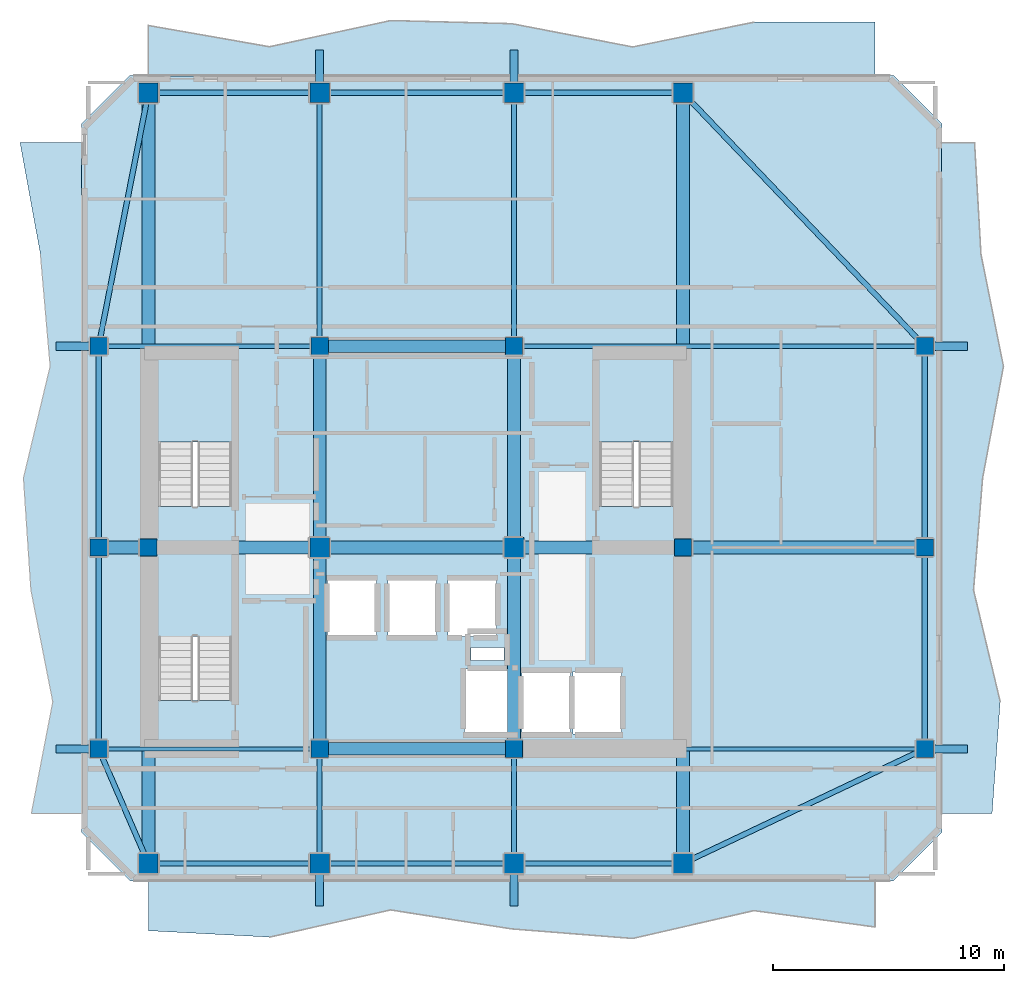
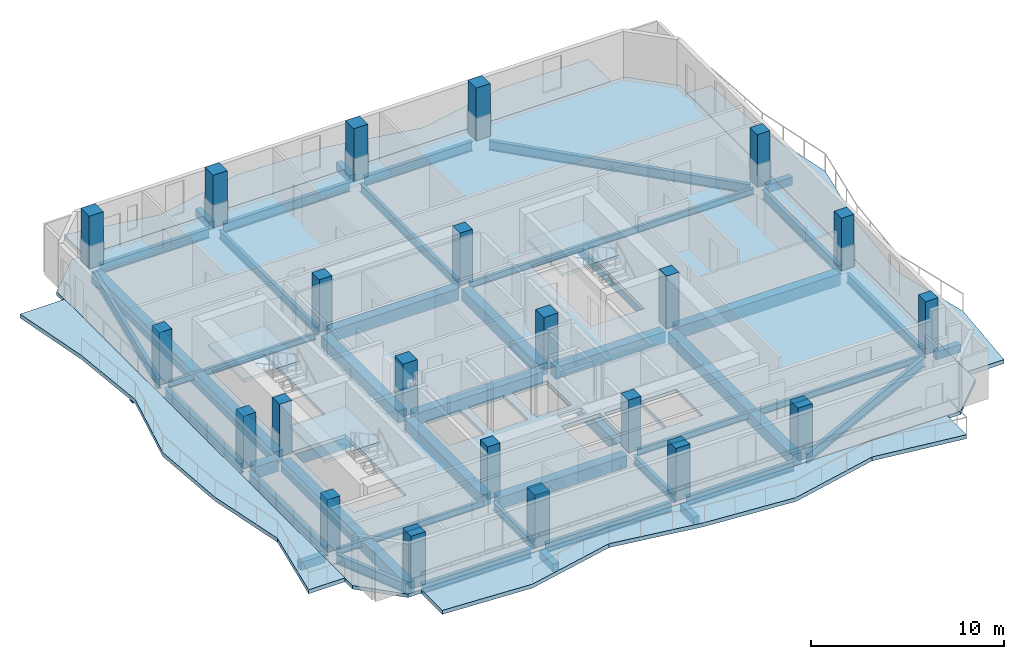
# One storey, part 1 of 9: 45 beams, 22 columns, 8 slabs, 3 elements without a shape of their own.
"""IFC4 building model written with IfcOpenShell, lengths in metres."""

from ifc_helpers import new_model, si_unit, direction, frame, origin, origin_2d, place, context, subcontext, project, spatial, polyline, rectangle, i_section, outline, extrude, material, layer, layer_set, material_profile, profile_set, type_object, element, aggregate, save


model = new_model("IFC4")

# Units and contexts
model_context = context("Model", 3, precision=1e-05, world=origin(), true_north=direction((0.0, 1.0)))
body_context = subcontext(model_context, "Body", "Model", "MODEL_VIEW")
ifc_project = project(units=[si_unit("LENGTHUNIT", "METRE"), si_unit("AREAUNIT", "SQUARE_METRE"), si_unit("VOLUMEUNIT", "CUBIC_METRE"), si_unit("PLANEANGLEUNIT", "RADIAN"), si_unit("MASSUNIT", "GRAM", prefix="KILO")], contexts=[model_context])

# Site, building, storey
site_placement = place(None, origin())
site = spatial("IfcSite", under=ifc_project, at=site_placement, CompositionType="ELEMENT")
building_placement = place(site_placement, origin())
building = spatial("IfcBuilding", under=site, at=building_placement, Name="Solanera Arch Residences", CompositionType="ELEMENT")
storey_placement = place(building_placement, frame((0.0, 0.0, 237.919921875)))
storey = spatial("IfcBuildingStorey", under=building, at=storey_placement, Name="L69", CompositionType="ELEMENT", Elevation=237.919921875)

# Columns
ifc_material_1 = material(Name="Concrete C40/50 (f'c = 45 MPa)", Category="concrete")
ifc_material_profile_1 = material_profile(ifc_material_1, rectangle(XDim=0.75, YDim=0.75, at=origin_2d()))
ifc_profile_set_1 = profile_set([ifc_material_profile_1], Name="Concrete C40/50 (f'c = 45 MPa)")
column_type_1 = type_object("IfcColumnType", Name="Structural Column RC-COL-750X750", PredefinedType="COLUMN", material=ifc_profile_set_1)
for number, where, z_axis, x_axis, name in (
    (1, (20.800048828125, 22.0, 0.0), (0.0, 0.0, 1.0), (1.0, 0.0, 0.0), "COL-L69-CB-SW"),
    (2, (29.199951171875, 22.0, 0.0), (0.0, 0.0, 1.0), (1.0, 0.0, 0.0), "COL-L69-CB-SE"),
    (3, (20.800048828125, 39.39990234375, 0.0), (0.0, 0.0, 1.0), (1.0, 0.0, 0.0), "COL-L69-CB-NW"),
    (4, (29.199951171875, 39.39990234375, 0.0), (0.0, 0.0, 1.0), (1.0, 0.0, 0.0), "COL-L69-CB-NE"),
    (5, (13.39990234375, 30.699951171875, 0.0), (0.0, 0.0, 1.0), (1.0, 0.0, 0.0), "COL-L69-CB-WW"),
    (6, (36.5, 30.699951171875, 0.0), (0.0, 0.0, 1.0), (1.0, 0.0, 0.0), "COL-L69-CB-EE"),
    (7, (11.25, 22.0, 0.0), (0.0, 0.0, 1.0), (1.0, 0.0, 0.0), "COL-L69-TWR-09"),
    (8, (46.949951171875, 22.0, 0.0), (0.0, 0.0, 1.0), (1.0, 0.0, 0.0), "COL-L69-TWR-10"),
    (9, (11.25, 30.699951171875, 0.0), (0.0, 0.0, 1.0), (1.0, 0.0, 0.0), "COL-L69-TWR-11"),
    (10, (46.949951171875, 30.699951171875, 0.0), (0.0, 0.0, 1.0), (1.0, 0.0, 0.0), "COL-L69-TWR-12"),
    (11, (11.25, 39.39990234375, 0.0), (0.0, 0.0, 1.0), (1.0, 0.0, 0.0), "COL-L69-TWR-13"),
    (12, (46.949951171875, 39.39990234375, 0.0), (0.0, 0.0, 1.0), (1.0, 0.0, 0.0), "COL-L69-TWR-14"),
):
    element("IfcColumn", number, at=place(storey_placement, frame(where, z_axis=z_axis, x_axis=x_axis)), inside=storey, type_object=column_type_1, Name=name, PredefinedType="COLUMN", context=body_context, shape_type="SweptSolid", body=[
        extrude(rectangle(XDim=0.75, YDim=0.75, at=origin_2d()), origin(), (0.0, 0.0, 1.0), 3.320068359375),
    ])
ifc_material_2 = material(Name="Concrete C40/50 (f'c = 45 MPa)", Category="concrete")
ifc_material_profile_2 = material_profile(ifc_material_2, rectangle(XDim=0.85009765625, YDim=0.85009765625, at=origin_2d()))
ifc_profile_set_2 = profile_set([ifc_material_profile_2], Name="Concrete C40/50 (f'c = 45 MPa)")
column_type_2 = type_object("IfcColumnType", Name="Structural Column RC-COL-850X850", PredefinedType="COLUMN", material=ifc_profile_set_2)
for number, where, z_axis, x_axis, name in (
    (13, (20.800048828125, 30.699951171875, 0.0), (0.0, 0.0, 1.0), (1.0, 0.0, 0.0), "COL-L69-CORE-W"),
    (14, (29.199951171875, 30.699951171875, 0.0), (0.0, 0.0, 1.0), (1.0, 0.0, 0.0), "COL-L69-CORE-E"),
    (15, (13.39990234375, 17.050048828125, 0.0), (0.0, 0.0, 1.0), (1.0, 0.0, 0.0), "COL-L69-TWR-01"),
    (16, (13.39990234375, 50.35009765625, 0.0), (0.0, 0.0, 1.0), (1.0, 0.0, 0.0), "COL-L69-TWR-02"),
    (17, (20.800048828125, 17.050048828125, 0.0), (0.0, 0.0, 1.0), (1.0, 0.0, 0.0), "COL-L69-TWR-03"),
    (18, (20.800048828125, 50.35009765625, 0.0), (0.0, 0.0, 1.0), (1.0, 0.0, 0.0), "COL-L69-TWR-04"),
    (19, (29.199951171875, 17.050048828125, 0.0), (0.0, 0.0, 1.0), (1.0, 0.0, 0.0), "COL-L69-TWR-05"),
    (20, (29.199951171875, 50.35009765625, 0.0), (0.0, 0.0, 1.0), (1.0, 0.0, 0.0), "COL-L69-TWR-06"),
    (21, (36.5, 17.050048828125, 0.0), (0.0, 0.0, 1.0), (1.0, 0.0, 0.0), "COL-L69-TWR-07"),
    (22, (36.5, 50.35009765625, 0.0), (0.0, 0.0, 1.0), (1.0, 0.0, 0.0), "COL-L69-TWR-08"),
):
    element("IfcColumn", number, at=place(storey_placement, frame(where, z_axis=z_axis, x_axis=x_axis)), inside=storey, type_object=column_type_2, Name=name, PredefinedType="COLUMN", context=body_context, shape_type="SweptSolid", body=[
        extrude(rectangle(XDim=0.85009765625, YDim=0.85009765625, at=origin_2d()), origin(), (0.0, 0.0, 1.0), 3.320068359375),
    ])

# Beams
ifc_material_3 = material(Name="Concrete C40/50 (f'c = 45 MPa)", Category="concrete")
ifc_material_profile_3 = material_profile(ifc_material_3, rectangle(XDim=0.35009765625, YDim=0.5, at=origin_2d()))
ifc_profile_set_3 = profile_set([ifc_material_profile_3], Name="Concrete C40/50 (f'c = 45 MPa)")
beam_type_1 = type_object("IfcBeamType", Name="BM-BALC-RIB", PredefinedType="BEAM", material=ifc_profile_set_3)
for number, where, z_axis, x_axis, name in (
    (23, (20.800048828125, 15.199951171875, -0.5), (0.0, 1.0, 0.0), (-1.0, 0.0, 0.0), "BM-L69-BRIB-S1"),
    (24, (29.199951171875, 15.199951171875, -0.5), (0.0, 1.0, 0.0), (-1.0, 0.0, 0.0), "BM-L69-BRIB-S2"),
    (25, (20.800048828125, 50.77490234375, -0.5), (0.0, 1.0, 0.0), (-1.0, 0.0, 0.0), "BM-L69-BRIB-N1"),
    (26, (29.199951171875, 50.77490234375, -0.5), (0.0, 1.0, 0.0), (-1.0, 0.0, 0.0), "BM-L69-BRIB-N2"),
):
    element("IfcBeam", number, at=place(storey_placement, frame(where, z_axis=z_axis, x_axis=x_axis)), inside=storey, type_object=beam_type_1, Name=name, PredefinedType="BEAM", context=body_context, shape_type="SweptSolid", body=[
        extrude(rectangle(XDim=0.35009765625, YDim=0.5, at=origin_2d()), origin(), (0.0, 0.0, 1.0), 1.425048828125),
    ])
for number, where, z_axis, x_axis, name in (
    (27, (47.324951171875, 22.0, -0.5), (1.0, 0.0, 0.0), (0.0, 1.0, 0.0), "BM-L69-BRIB-E1"),
    (28, (47.324951171875, 39.39990234375, -0.5), (1.0, 0.0, 0.0), (0.0, 1.0, 0.0), "BM-L69-BRIB-E2"),
    (29, (9.39990234375, 22.0, -0.5), (1.0, 0.0, 0.0), (0.0, 1.0, 0.0), "BM-L69-BRIB-W1"),
    (30, (9.39990234375, 39.39990234375, -0.5), (1.0, 0.0, 0.0), (0.0, 1.0, 0.0), "BM-L69-BRIB-W2"),
):
    element("IfcBeam", number, at=place(storey_placement, frame(where, z_axis=z_axis, x_axis=x_axis)), inside=storey, type_object=beam_type_1, Name=name, PredefinedType="BEAM", context=body_context, shape_type="SweptSolid", body=[
        extrude(rectangle(XDim=0.35009765625, YDim=0.5, at=origin_2d()), origin(), (0.0, 0.0, 1.0), 1.47509765625),
    ])
ifc_material_4 = material(Name="Steel S355 (ASTM A992 / A572 Grade 50)", Category="steel")
ifc_material_profile_4 = material_profile(ifc_material_4, i_section(OverallWidth=0.208984375, OverallDepth=0.532958984375, WebThickness=0.01025390625, FlangeThickness=0.015625, at=origin_2d()))
ifc_profile_set_4 = profile_set([ifc_material_profile_4], Name="Steel S355 (ASTM A992 / A572 Grade 50)")
beam_type_2 = type_object("IfcBeamType", Name="Floor Beam W530X92", PredefinedType="BEAM", material=ifc_profile_set_4)
beam_1_placement = place(storey_placement, frame((20.800048828125, 17.47900390625, -0.48681640625), z_axis=(0.0, 1.0, 0.0), x_axis=(-1.0, 0.0, 0.0)))
element("IfcBeam", 31, at=beam_1_placement, inside=storey, type_object=beam_type_2, Name="BM-L69-RAD-S-208", PredefinedType="BEAM", context=body_context, shape_type="SweptSolid", body=[
    extrude(i_section(OverallWidth=0.208984375, OverallDepth=0.532958984375, WebThickness=0.01025390625, FlangeThickness=0.015625, at=origin_2d()), origin(), (0.0, 0.0, 1.0), 4.14208984375),
])
beam_2_placement = place(storey_placement, frame((20.800048828125, 39.779052734375, -0.48681640625), z_axis=(0.0, 1.0, 0.0), x_axis=(-1.0, 0.0, 0.0)))
element("IfcBeam", 32, at=beam_2_placement, inside=storey, type_object=beam_type_2, Name="BM-L69-RAD-N-208", PredefinedType="BEAM", context=body_context, shape_type="SweptSolid", body=[
    extrude(i_section(OverallWidth=0.208984375, OverallDepth=0.532958984375, WebThickness=0.01025390625, FlangeThickness=0.015625, at=origin_2d()), origin(), (0.0, 0.0, 1.0), 10.141845703125),
])
beam_3_placement = place(storey_placement, frame((29.199951171875, 17.47900390625, -0.48681640625), z_axis=(0.0, 1.0, 0.0), x_axis=(-1.0, 0.0, 0.0)))
element("IfcBeam", 33, at=beam_3_placement, inside=storey, type_object=beam_type_2, Name="BM-L69-RAD-S-292", PredefinedType="BEAM", context=body_context, shape_type="SweptSolid", body=[
    extrude(i_section(OverallWidth=0.208984375, OverallDepth=0.532958984375, WebThickness=0.01025390625, FlangeThickness=0.015625, at=origin_2d()), origin(), (0.0, 0.0, 1.0), 4.14208984375),
])
beam_4_placement = place(storey_placement, frame((29.199951171875, 39.779052734375, -0.48681640625), z_axis=(0.0, 1.0, 0.0), x_axis=(-1.0, 0.0, 0.0)))
element("IfcBeam", 34, at=beam_4_placement, inside=storey, type_object=beam_type_2, Name="BM-L69-RAD-N-292", PredefinedType="BEAM", context=body_context, shape_type="SweptSolid", body=[
    extrude(i_section(OverallWidth=0.208984375, OverallDepth=0.532958984375, WebThickness=0.01025390625, FlangeThickness=0.015625, at=origin_2d()), origin(), (0.0, 0.0, 1.0), 10.141845703125),
])
ifc_material_5 = material(Name="Concrete C40/50 (f'c = 45 MPa)", Category="concrete")
ifc_material_profile_5 = material_profile(ifc_material_5, rectangle(XDim=0.550048828125, YDim=0.75, at=origin_2d()))
ifc_profile_set_5 = profile_set([ifc_material_profile_5], Name="Concrete C40/50 (f'c = 45 MPa)")
beam_type_3 = type_object("IfcBeamType", Name="Primary Beam RC-BM-550X750", PredefinedType="BEAM", material=ifc_profile_set_5)
beam_5_placement = place(storey_placement, frame((20.800048828125, 22.37890625, -0.594970703125), z_axis=(0.0, 1.0, 0.0), x_axis=(-1.0, 0.0, 0.0)))
element("IfcBeam", 35, at=beam_5_placement, inside=storey, type_object=beam_type_3, Name="BM-L69-CC-S-208", PredefinedType="BEAM", context=body_context, shape_type="SweptSolid", body=[
    extrude(rectangle(XDim=0.550048828125, YDim=0.75, at=origin_2d()), origin(), (0.0, 0.0, 1.0), 7.942138671875),
])
beam_6_placement = place(storey_placement, frame((20.800048828125, 31.0791015625, -0.594970703125), z_axis=(0.0, 1.0, 0.0), x_axis=(-1.0, 0.0, 0.0)))
element("IfcBeam", 36, at=beam_6_placement, inside=storey, type_object=beam_type_3, Name="BM-L69-CC-N-208", PredefinedType="BEAM", context=body_context, shape_type="SweptSolid", body=[
    extrude(rectangle(XDim=0.550048828125, YDim=0.75, at=origin_2d()), origin(), (0.0, 0.0, 1.0), 7.94189453125),
])
beam_7_placement = place(storey_placement, frame((29.199951171875, 22.37890625, -0.594970703125), z_axis=(0.0, 1.0, 0.0), x_axis=(-1.0, 0.0, 0.0)))
element("IfcBeam", 37, at=beam_7_placement, inside=storey, type_object=beam_type_3, Name="BM-L69-CC-S-292", PredefinedType="BEAM", context=body_context, shape_type="SweptSolid", body=[
    extrude(rectangle(XDim=0.550048828125, YDim=0.75, at=origin_2d()), origin(), (0.0, 0.0, 1.0), 7.942138671875),
])
beam_8_placement = place(storey_placement, frame((29.199951171875, 31.0791015625, -0.594970703125), z_axis=(0.0, 1.0, 0.0), x_axis=(-1.0, 0.0, 0.0)))
element("IfcBeam", 38, at=beam_8_placement, inside=storey, type_object=beam_type_3, Name="BM-L69-CC-N-292", PredefinedType="BEAM", context=body_context, shape_type="SweptSolid", body=[
    extrude(rectangle(XDim=0.550048828125, YDim=0.75, at=origin_2d()), origin(), (0.0, 0.0, 1.0), 7.94189453125),
])
for number, where, z_axis, x_axis, name in (
    (39, (21.178955078125, 22.0, -0.594970703125), (1.0, 0.0, 0.0), (0.0, 1.0, 0.0), "BM-L69-CC-M-220"),
    (40, (21.178955078125, 30.699951171875, -0.594970703125), (1.0, 0.0, 0.0), (0.0, 1.0, 0.0), "BM-L69-CC-M-307"),
    (41, (21.178955078125, 39.39990234375, -0.594970703125), (1.0, 0.0, 0.0), (0.0, 1.0, 0.0), "BM-L69-CC-M-394"),
):
    element("IfcBeam", number, at=place(storey_placement, frame(where, z_axis=z_axis, x_axis=x_axis)), inside=storey, type_object=beam_type_3, Name=name, PredefinedType="BEAM", context=body_context, shape_type="SweptSolid", body=[
        extrude(rectangle(XDim=0.550048828125, YDim=0.75, at=origin_2d()), origin(), (0.0, 0.0, 1.0), 7.64208984375),
    ])
beam_9_placement = place(storey_placement, frame((13.779052734375, 30.699951171875, -0.594970703125), z_axis=(1.0, 0.0, 0.0), x_axis=(0.0, 1.0, 0.0)))
element("IfcBeam", 42, at=beam_9_placement, inside=storey, type_object=beam_type_3, Name="BM-L69-CC-W", PredefinedType="BEAM", context=body_context, shape_type="SweptSolid", body=[
    extrude(rectangle(XDim=0.550048828125, YDim=0.75, at=origin_2d()), origin(), (0.0, 0.0, 1.0), 6.641845703125),
])
beam_10_placement = place(storey_placement, frame((29.5791015625, 30.699951171875, -0.594970703125), z_axis=(1.0, 0.0, 0.0), x_axis=(0.0, 1.0, 0.0)))
element("IfcBeam", 43, at=beam_10_placement, inside=storey, type_object=beam_type_3, Name="BM-L69-CC-E", PredefinedType="BEAM", context=body_context, shape_type="SweptSolid", body=[
    extrude(rectangle(XDim=0.550048828125, YDim=0.75, at=origin_2d()), origin(), (0.0, 0.0, 1.0), 6.5419921875),
])
beam_11_placement = place(storey_placement, frame((13.39990234375, 17.47900390625, -0.594970703125), z_axis=(0.0, 1.0, 0.0), x_axis=(-1.0, 0.0, 0.0)))
element("IfcBeam", 44, at=beam_11_placement, inside=storey, type_object=beam_type_3, Name="BM-L69-RAD-OS-134", PredefinedType="BEAM", context=body_context, shape_type="SweptSolid", body=[
    extrude(rectangle(XDim=0.550048828125, YDim=0.75, at=origin_2d()), origin(), (0.0, 0.0, 1.0), 12.842041015625),
])
beam_12_placement = place(storey_placement, frame((13.39990234375, 31.0791015625, -0.594970703125), z_axis=(0.0, 1.0, 0.0), x_axis=(-1.0, 0.0, 0.0)))
element("IfcBeam", 45, at=beam_12_placement, inside=storey, type_object=beam_type_3, Name="BM-L69-RAD-ON-134", PredefinedType="BEAM", context=body_context, shape_type="SweptSolid", body=[
    extrude(rectangle(XDim=0.550048828125, YDim=0.75, at=origin_2d()), origin(), (0.0, 0.0, 1.0), 18.841796875),
])
beam_13_placement = place(storey_placement, frame((36.5, 17.47900390625, -0.594970703125), z_axis=(0.0, 1.0, 0.0), x_axis=(-1.0, 0.0, 0.0)))
element("IfcBeam", 46, at=beam_13_placement, inside=storey, type_object=beam_type_3, Name="BM-L69-RAD-OS-365", PredefinedType="BEAM", context=body_context, shape_type="SweptSolid", body=[
    extrude(rectangle(XDim=0.550048828125, YDim=0.75, at=origin_2d()), origin(), (0.0, 0.0, 1.0), 12.842041015625),
])
beam_14_placement = place(storey_placement, frame((36.5, 31.0791015625, -0.594970703125), z_axis=(0.0, 1.0, 0.0), x_axis=(-1.0, 0.0, 0.0)))
element("IfcBeam", 47, at=beam_14_placement, inside=storey, type_object=beam_type_3, Name="BM-L69-RAD-ON-365", PredefinedType="BEAM", context=body_context, shape_type="SweptSolid", body=[
    extrude(rectangle(XDim=0.550048828125, YDim=0.75, at=origin_2d()), origin(), (0.0, 0.0, 1.0), 18.841796875),
])
beam_15_placement = place(storey_placement, frame((11.62890625, 30.699951171875, -0.594970703125), z_axis=(1.0, 0.0, 0.0), x_axis=(0.0, 1.0, 0.0)))
element("IfcBeam", 48, at=beam_15_placement, inside=storey, type_object=beam_type_3, Name="BM-L69-RAD-MW", PredefinedType="BEAM", context=body_context, shape_type="SweptSolid", body=[
    extrude(rectangle(XDim=0.550048828125, YDim=0.75, at=origin_2d()), origin(), (0.0, 0.0, 1.0), 1.39208984375),
])
beam_16_placement = place(storey_placement, frame((36.87890625, 30.699951171875, -0.594970703125), z_axis=(1.0, 0.0, 0.0), x_axis=(0.0, 1.0, 0.0)))
element("IfcBeam", 49, at=beam_16_placement, inside=storey, type_object=beam_type_3, Name="BM-L69-RAD-ME", PredefinedType="BEAM", context=body_context, shape_type="SweptSolid", body=[
    extrude(rectangle(XDim=0.550048828125, YDim=0.75, at=origin_2d()), origin(), (0.0, 0.0, 1.0), 9.692138671875),
])
ifc_material_6 = material(Name="Steel S355 (ASTM A992 / A572 Grade 50)", Category="steel")
ifc_material_profile_6 = material_profile(ifc_material_6, i_section(OverallWidth=0.178955078125, OverallDepth=0.409912109375, WebThickness=0.0087890625, FlangeThickness=0.014404296875, at=origin_2d()))
ifc_profile_set_6 = profile_set([ifc_material_profile_6], Name="Steel S355 (ASTM A992 / A572 Grade 50)")
beam_type_4 = type_object("IfcBeamType", Name="Secondary Joist W410X67", PredefinedType="JOIST", material=ifc_profile_set_6)
beam_17_placement = place(storey_placement, frame((11.62890625, 22.0, -0.4248046875), z_axis=(1.0, 0.0, 0.0), x_axis=(0.0, 1.0, 0.0)))
element("IfcBeam", 50, at=beam_17_placement, inside=storey, type_object=beam_type_4, Name="BM-L69-RAD-W-220", PredefinedType="JOIST", context=body_context, shape_type="SweptSolid", body=[
    extrude(i_section(OverallWidth=0.178955078125, OverallDepth=0.409912109375, WebThickness=0.0087890625, FlangeThickness=0.014404296875, at=origin_2d()), origin(), (0.0, 0.0, 1.0), 8.7919921875),
])
beam_18_placement = place(storey_placement, frame((29.5791015625, 22.0, -0.4248046875), z_axis=(1.0, 0.0, 0.0), x_axis=(0.0, 1.0, 0.0)))
element("IfcBeam", 51, at=beam_18_placement, inside=storey, type_object=beam_type_4, Name="BM-L69-RAD-E-220", PredefinedType="JOIST", context=body_context, shape_type="SweptSolid", body=[
    extrude(i_section(OverallWidth=0.178955078125, OverallDepth=0.409912109375, WebThickness=0.0087890625, FlangeThickness=0.014404296875, at=origin_2d()), origin(), (0.0, 0.0, 1.0), 16.991943359375),
])
beam_19_placement = place(storey_placement, frame((11.62890625, 39.39990234375, -0.4248046875), z_axis=(1.0, 0.0, 0.0), x_axis=(0.0, 1.0, 0.0)))
element("IfcBeam", 52, at=beam_19_placement, inside=storey, type_object=beam_type_4, Name="BM-L69-RAD-W-394", PredefinedType="JOIST", context=body_context, shape_type="SweptSolid", body=[
    extrude(i_section(OverallWidth=0.178955078125, OverallDepth=0.409912109375, WebThickness=0.0087890625, FlangeThickness=0.014404296875, at=origin_2d()), origin(), (0.0, 0.0, 1.0), 8.7919921875),
])
beam_20_placement = place(storey_placement, frame((29.5791015625, 39.39990234375, -0.4248046875), z_axis=(1.0, 0.0, 0.0), x_axis=(0.0, 1.0, 0.0)))
element("IfcBeam", 53, at=beam_20_placement, inside=storey, type_object=beam_type_4, Name="BM-L69-RAD-E-394", PredefinedType="JOIST", context=body_context, shape_type="SweptSolid", body=[
    extrude(i_section(OverallWidth=0.178955078125, OverallDepth=0.409912109375, WebThickness=0.0087890625, FlangeThickness=0.014404296875, at=origin_2d()), origin(), (0.0, 0.0, 1.0), 16.991943359375),
])
ifc_material_7 = material(Name="Steel S355 (ASTM A992 / A572 Grade 50)", Category="steel")
ifc_material_profile_7 = material_profile(ifc_material_7, i_section(OverallWidth=0.22802734375, OverallDepth=0.60791015625, WebThickness=0.01123046875, FlangeThickness=0.017333984375, at=origin_2d()))
ifc_profile_set_7 = profile_set([ifc_material_profile_7], Name="Steel S355 (ASTM A992 / A572 Grade 50)")
beam_type_5 = type_object("IfcBeamType", Name="Spandrel Beam W610X113", PredefinedType="SPANDREL", material=ifc_profile_set_7)
for number, where, z_axis, x_axis, name in (
    (54, (13.8291015625, 17.050048828125, -0.52392578125), (1.0, 0.0, 0.0), (0.0, 1.0, 0.0), "BM-L69-SPN-S-1"),
    (55, (13.8291015625, 50.35009765625, -0.52392578125), (1.0, 0.0, 0.0), (0.0, 1.0, 0.0), "BM-L69-SPN-N-1"),
):
    element("IfcBeam", number, at=place(storey_placement, frame(where, z_axis=z_axis, x_axis=x_axis)), inside=storey, type_object=beam_type_5, Name=name, PredefinedType="SPANDREL", context=body_context, shape_type="SweptSolid", body=[
        extrude(i_section(OverallWidth=0.22802734375, OverallDepth=0.60791015625, WebThickness=0.01123046875, FlangeThickness=0.017333984375, at=origin_2d()), origin(), (0.0, 0.0, 1.0), 6.5419921875),
    ])
for number, where, z_axis, x_axis, name in (
    (56, (21.22900390625, 17.050048828125, -0.52392578125), (1.0, 0.0, 0.0), (0.0, 1.0, 0.0), "BM-L69-SPN-S-2"),
    (57, (21.22900390625, 50.35009765625, -0.52392578125), (1.0, 0.0, 0.0), (0.0, 1.0, 0.0), "BM-L69-SPN-N-2"),
):
    element("IfcBeam", number, at=place(storey_placement, frame(where, z_axis=z_axis, x_axis=x_axis)), inside=storey, type_object=beam_type_5, Name=name, PredefinedType="SPANDREL", context=body_context, shape_type="SweptSolid", body=[
        extrude(i_section(OverallWidth=0.22802734375, OverallDepth=0.60791015625, WebThickness=0.01123046875, FlangeThickness=0.017333984375, at=origin_2d()), origin(), (0.0, 0.0, 1.0), 7.5419921875),
    ])
for number, where, z_axis, x_axis, name in (
    (58, (29.62890625, 17.050048828125, -0.52392578125), (1.0, 0.0, 0.0), (0.0, 1.0, 0.0), "BM-L69-SPN-S-3"),
    (59, (29.62890625, 50.35009765625, -0.52392578125), (1.0, 0.0, 0.0), (0.0, 1.0, 0.0), "BM-L69-SPN-N-3"),
):
    element("IfcBeam", number, at=place(storey_placement, frame(where, z_axis=z_axis, x_axis=x_axis)), inside=storey, type_object=beam_type_5, Name=name, PredefinedType="SPANDREL", context=body_context, shape_type="SweptSolid", body=[
        extrude(i_section(OverallWidth=0.22802734375, OverallDepth=0.60791015625, WebThickness=0.01123046875, FlangeThickness=0.017333984375, at=origin_2d()), origin(), (0.0, 0.0, 1.0), 6.442138671875),
    ])
for number, where, z_axis, x_axis, name in (
    (60, (11.25, 22.37890625, -0.52392578125), (0.0, 1.0, 0.0), (-1.0, 0.0, 0.0), "BM-L69-SPN-W-1"),
    (61, (46.949951171875, 22.37890625, -0.52392578125), (0.0, 1.0, 0.0), (-1.0, 0.0, 0.0), "BM-L69-SPN-E-1"),
):
    element("IfcBeam", number, at=place(storey_placement, frame(where, z_axis=z_axis, x_axis=x_axis)), inside=storey, type_object=beam_type_5, Name=name, PredefinedType="SPANDREL", context=body_context, shape_type="SweptSolid", body=[
        extrude(i_section(OverallWidth=0.22802734375, OverallDepth=0.60791015625, WebThickness=0.01123046875, FlangeThickness=0.017333984375, at=origin_2d()), origin(), (0.0, 0.0, 1.0), 7.942138671875),
    ])
for number, where, z_axis, x_axis, name in (
    (62, (11.25, 31.0791015625, -0.52392578125), (0.0, 1.0, 0.0), (-1.0, 0.0, 0.0), "BM-L69-SPN-W-2"),
    (63, (46.949951171875, 31.0791015625, -0.52392578125), (0.0, 1.0, 0.0), (-1.0, 0.0, 0.0), "BM-L69-SPN-E-2"),
):
    element("IfcBeam", number, at=place(storey_placement, frame(where, z_axis=z_axis, x_axis=x_axis)), inside=storey, type_object=beam_type_5, Name=name, PredefinedType="SPANDREL", context=body_context, shape_type="SweptSolid", body=[
        extrude(i_section(OverallWidth=0.22802734375, OverallDepth=0.60791015625, WebThickness=0.01123046875, FlangeThickness=0.017333984375, at=origin_2d()), origin(), (0.0, 0.0, 1.0), 7.94189453125),
    ])
beam_21_placement = place(storey_placement, frame((13.214111328125, 17.47900390625, -0.52392578125), z_axis=(-0.398565995426, 0.917139655282, 0.0), x_axis=(-0.917139655282, -0.398565995426, 0.0)))
element("IfcBeam", 64, at=beam_21_placement, inside=storey, type_object=beam_type_5, Name="BM-L69-SPN-SW", PredefinedType="SPANDREL", context=body_context, shape_type="SweptSolid", body=[
    extrude(i_section(OverallWidth=0.22802734375, OverallDepth=0.60791015625, WebThickness=0.01123046875, FlangeThickness=0.017333984375, at=origin_2d()), origin(), (0.0, 0.0, 1.0), 4.516357421875),
])
beam_22_placement = place(storey_placement, frame((13.31591796875, 49.9208984375, -0.52392578125), z_axis=(-0.192726215486, -0.981252569864, 0.0), x_axis=(0.981252569864, -0.192726215486, 0.0)))
element("IfcBeam", 65, at=beam_22_placement, inside=storey, type_object=beam_type_5, Name="BM-L69-SPN-NW", PredefinedType="SPANDREL", context=body_context, shape_type="SweptSolid", body=[
    extrude(i_section(OverallWidth=0.22802734375, OverallDepth=0.60791015625, WebThickness=0.01123046875, FlangeThickness=0.017333984375, at=origin_2d()), origin(), (0.0, 0.0, 1.0), 10.335693359375),
])
beam_23_placement = place(storey_placement, frame((36.928955078125, 17.2529296875, -0.52392578125), z_axis=(0.903708483395, 0.428148311967, 0.0), x_axis=(-0.428148311967, 0.903708483395, 0.0)))
element("IfcBeam", 66, at=beam_23_placement, inside=storey, type_object=beam_type_5, Name="BM-L69-SPN-SE", PredefinedType="SPANDREL", context=body_context, shape_type="SweptSolid", body=[
    extrude(i_section(OverallWidth=0.22802734375, OverallDepth=0.60791015625, WebThickness=0.01123046875, FlangeThickness=0.017333984375, at=origin_2d()), origin(), (0.0, 0.0, 1.0), 10.66943359375),
])
beam_24_placement = place(storey_placement, frame((36.873046875, 49.958984375, -0.52392578125), z_axis=(0.690398586327, -0.723429189346, 0.0), x_axis=(0.723429189346, 0.690398586327, 0.0)))
element("IfcBeam", 67, at=beam_24_placement, inside=storey, type_object=beam_type_5, Name="BM-L69-SPN-NE", PredefinedType="SPANDREL", context=body_context, shape_type="SweptSolid", body=[
    extrude(i_section(OverallWidth=0.22802734375, OverallDepth=0.60791015625, WebThickness=0.01123046875, FlangeThickness=0.017333984375, at=origin_2d()), origin(), (0.0, 0.0, 1.0), 14.0732421875),
])

# Slabs
ifc_material_8 = material(Name="Concrete C40/50 (f'c = 45 MPa)", Category="concrete")
ifc_layer_1 = layer(ifc_material_8, 0.25)
ifc_layer_set_1 = layer_set([ifc_layer_1], Name="Concrete C40/50 (f'c = 45 MPa)")
slab_type_1 = type_object("IfcSlabType", Name="Balcony Slab 250", PredefinedType="FLOOR", material=ifc_layer_set_1)
slab_1_placement = place(storey_placement, frame((0.0, 0.0, -0.25)))
element("IfcSlab", 68, at=slab_1_placement, inside=storey, type_object=slab_type_1, Name="L69 S Rippling Brise-Soleil Balcony Slab", PredefinedType="FLOOR", context=body_context, shape_type="SweptSolid", body=[
    extrude(outline(polyline([(13.39990234375, 14.14111328125), (18.633056640625, 13.864990234375), (23.866943359375, 15.041015625), (29.10009765625, 14.220947265625), (34.3330078125, 13.80810546875), (39.56689453125, 15.011962890625), (44.800048828125, 14.303955078125), (44.800048828125, 16.320068359375), (13.39990234375, 16.320068359375), (13.39990234375, 14.14111328125)])), origin(), (0.0, 0.0, 1.0), 0.25),
])
slab_2_placement = place(storey_placement, frame((0.0, 0.0, -0.25)))
element("IfcSlab", 69, at=slab_2_placement, inside=storey, type_object=slab_type_1, Name="L69 N Rippling Brise-Soleil Balcony Slab", PredefinedType="FLOOR", context=body_context, shape_type="SweptSolid", body=[
    extrude(outline(polyline([(44.800048828125, 53.410888671875), (39.56689453125, 53.403076171875), (34.3330078125, 52.3310546875), (29.10009765625, 53.3369140625), (23.866943359375, 53.471923828125), (18.633056640625, 52.340087890625), (13.39990234375, 53.259033203125), (13.39990234375, 51.080078125), (44.800048828125, 51.080078125), (44.800048828125, 53.410888671875)])), origin(), (0.0, 0.0, 1.0), 0.25),
])
slab_3_placement = place(storey_placement, frame((0.0, 0.0, -0.25)))
element("IfcSlab", 70, at=slab_3_placement, inside=storey, type_object=slab_type_1, Name="L69 E Rippling Brise-Soleil Balcony Slab", PredefinedType="FLOOR", context=body_context, shape_type="SweptSolid", body=[
    extrude(outline(polyline([(49.85888671875, 19.199951171875), (50.208984375, 24.032958984375), (49.054931640625, 28.866943359375), (49.447021484375, 33.699951171875), (50.34912109375, 38.532958984375), (49.376953125, 43.366943359375), (49.10009765625, 48.199951171875), (47.679931640625, 48.199951171875), (47.679931640625, 19.199951171875), (49.85888671875, 19.199951171875)])), origin(), (0.0, 0.0, 1.0), 0.25),
])
slab_4_placement = place(storey_placement, frame((0.0, 0.0, -0.25)))
element("IfcSlab", 71, at=slab_4_placement, inside=storey, type_object=slab_type_1, Name="L69 W Rippling Brise-Soleil Balcony Slab", PredefinedType="FLOOR", context=body_context, shape_type="SweptSolid", body=[
    extrude(outline(polyline([(7.85205078125, 48.199951171875), (8.735107421875, 43.366943359375), (9.155029296875, 38.532958984375), (8.001953125, 33.699951171875), (8.322998046875, 28.866943359375), (9.27001953125, 24.032958984375), (8.341064453125, 19.199951171875), (10.52001953125, 19.199951171875), (10.52001953125, 48.199951171875), (7.85205078125, 48.199951171875)])), origin(), (0.0, 0.0, 1.0), 0.25),
])

# Stair, slab
ifc_material_9 = material(Name="Concrete C40/50 (f'c = 45 MPa)", Category="concrete")
stair_type = type_object("IfcStairType", Name="Tower Dogleg Exit Stair 1480", PredefinedType="HALF_TURN_STAIR", material=ifc_material_9)
stair_1_placement = place(storey_placement, origin())
stair_1 = element("IfcStair", 72, at=stair_1_placement, inside=storey, type_object=stair_type, Name="L69 Tower Core Exit Stair 1", PredefinedType="HALF_TURN_STAIR")
ifc_material_10 = material(Name="Concrete C40/50 (f'c = 45 MPa)", Category="concrete")
ifc_layer_2 = layer(ifc_material_10, 0.199951171875)
ifc_layer_set_2 = layer_set([ifc_layer_2], Name="Concrete C40/50 (f'c = 45 MPa)")
slab_type_2 = type_object("IfcSlabType", Name="Stair Half-Landing Slab 200", PredefinedType="LANDING", material=ifc_layer_set_2)
slab_5_placement = place(storey_placement, frame((0.0, 0.0, 1.4599609375)))
slab_5 = element("IfcSlab", 73, at=slab_5_placement, type_object=slab_type_2, Name="ST-T1 landing 1", PredefinedType="LANDING", context=body_context, shape_type="SweptSolid", body=[
    extrude(outline(polyline([(17.1201171875, 35.260009765625), (17.1201171875, 38.919921875), (13.719970703125, 38.919921875), (13.719970703125, 35.260009765625), (17.1201171875, 35.260009765625)])), origin(), (0.0, 0.0, 1.0), 0.2001953125),
])
aggregate(stair_1, [slab_5])

stair_2_placement = place(storey_placement, origin())
stair_2 = element("IfcStair", 74, at=stair_2_placement, inside=storey, type_object=stair_type, Name="L69 Tower Core Exit Stair 2", PredefinedType="HALF_TURN_STAIR")
slab_6_placement = place(storey_placement, frame((0.0, 0.0, 1.4599609375)))
slab_6 = element("IfcSlab", 75, at=slab_6_placement, type_object=slab_type_2, Name="ST-T2 landing 1", PredefinedType="LANDING", context=body_context, shape_type="SweptSolid", body=[
    extrude(outline(polyline([(36.179931640625, 35.260009765625), (36.179931640625, 38.919921875), (32.780029296875, 38.919921875), (32.780029296875, 35.260009765625), (36.179931640625, 35.260009765625)])), origin(), (0.0, 0.0, 1.0), 0.2001953125),
])
aggregate(stair_2, [slab_6])

stair_3_placement = place(storey_placement, origin())
stair_3 = element("IfcStair", 76, at=stair_3_placement, inside=storey, type_object=stair_type, Name="L69 Tower Core Exit Stair 3", PredefinedType="HALF_TURN_STAIR")
slab_7_placement = place(storey_placement, frame((0.0, 0.0, 1.4599609375)))
slab_7 = element("IfcSlab", 77, at=slab_7_placement, type_object=slab_type_2, Name="ST-T3 landing 1", PredefinedType="LANDING", context=body_context, shape_type="SweptSolid", body=[
    extrude(outline(polyline([(17.1201171875, 26.860107421875), (17.1201171875, 30.52001953125), (13.719970703125, 30.52001953125), (13.719970703125, 26.860107421875), (17.1201171875, 26.860107421875)])), origin(), (0.0, 0.0, 1.0), 0.2001953125),
])
aggregate(stair_3, [slab_7])

# Slab
ifc_material_11 = material(Name="Concrete C40/50 (f'c = 45 MPa)", Category="concrete")
ifc_layer_3 = layer(ifc_material_11, 0.219970703125)
ifc_layer_set_3 = layer_set([ifc_layer_3], Name="Concrete C40/50 (f'c = 45 MPa)")
slab_type_3 = type_object("IfcSlabType", Name="Suspended Floor Slab Post-Tensioned 220", PredefinedType="FLOOR", material=ifc_layer_set_3)
slab_8_placement = place(storey_placement, frame((0.0, 0.0, -0.219970703125)))
element("IfcSlab", 78, at=slab_8_placement, inside=storey, type_object=slab_type_3, Name="L69 Tower Post-Tensioned Floor Slab", PredefinedType="FLOOR", context=body_context, shape_type="SweptSolid", body=[
    extrude(outline(polyline([(12.60009765625, 16.300048828125), (45.60009765625, 16.300048828125), (47.699951171875, 18.39990234375), (47.699951171875, 49.0), (45.60009765625, 51.10009765625), (12.60009765625, 51.10009765625), (10.5, 49.0), (10.5, 18.39990234375), (12.60009765625, 16.300048828125)]), holes=[polyline([(13.840087890625, 32.48291015625), (13.840087890625, 38.800048828125), (17.0, 38.800048828125), (17.0, 32.48291015625), (13.840087890625, 32.48291015625)]), polyline([(32.89990234375, 32.48291015625), (32.89990234375, 38.800048828125), (36.06005859375, 38.800048828125), (36.06005859375, 32.48291015625), (32.89990234375, 32.48291015625)]), polyline([(13.840087890625, 24.0830078125), (13.840087890625, 30.39990234375), (17.0, 30.39990234375), (17.0, 24.0830078125), (13.840087890625, 24.0830078125)]), polyline([(21.14990234375, 29.35009765625), (23.25, 29.35009765625), (23.25, 26.85009765625), (21.14990234375, 26.85009765625), (21.14990234375, 29.35009765625)]), polyline([(23.75, 29.35009765625), (25.85009765625, 29.35009765625), (25.85009765625, 26.85009765625), (23.75, 26.85009765625), (23.75, 29.35009765625)]), polyline([(26.35009765625, 29.35009765625), (28.449951171875, 29.35009765625), (28.449951171875, 26.85009765625), (26.35009765625, 26.85009765625), (26.35009765625, 29.35009765625)]), polyline([(29.550048828125, 25.35009765625), (31.64990234375, 25.35009765625), (31.64990234375, 22.64990234375), (29.550048828125, 22.64990234375), (29.550048828125, 25.35009765625)]), polyline([(31.75, 25.35009765625), (33.85009765625, 25.35009765625), (33.85009765625, 22.64990234375), (31.75, 22.64990234375), (31.75, 25.35009765625)]), polyline([(27.050048828125, 25.449951171875), (29.35009765625, 25.449951171875), (29.35009765625, 22.64990234375), (27.050048828125, 22.64990234375), (27.050048828125, 25.449951171875)]), polyline([(27.340087890625, 26.3798828125), (28.760009765625, 26.3798828125), (28.760009765625, 25.820068359375), (27.340087890625, 25.820068359375), (27.340087890625, 26.3798828125)])]), origin(), (0.0, 0.0, 1.0), 0.219970703125),
])

save(model, "model.ifc")
